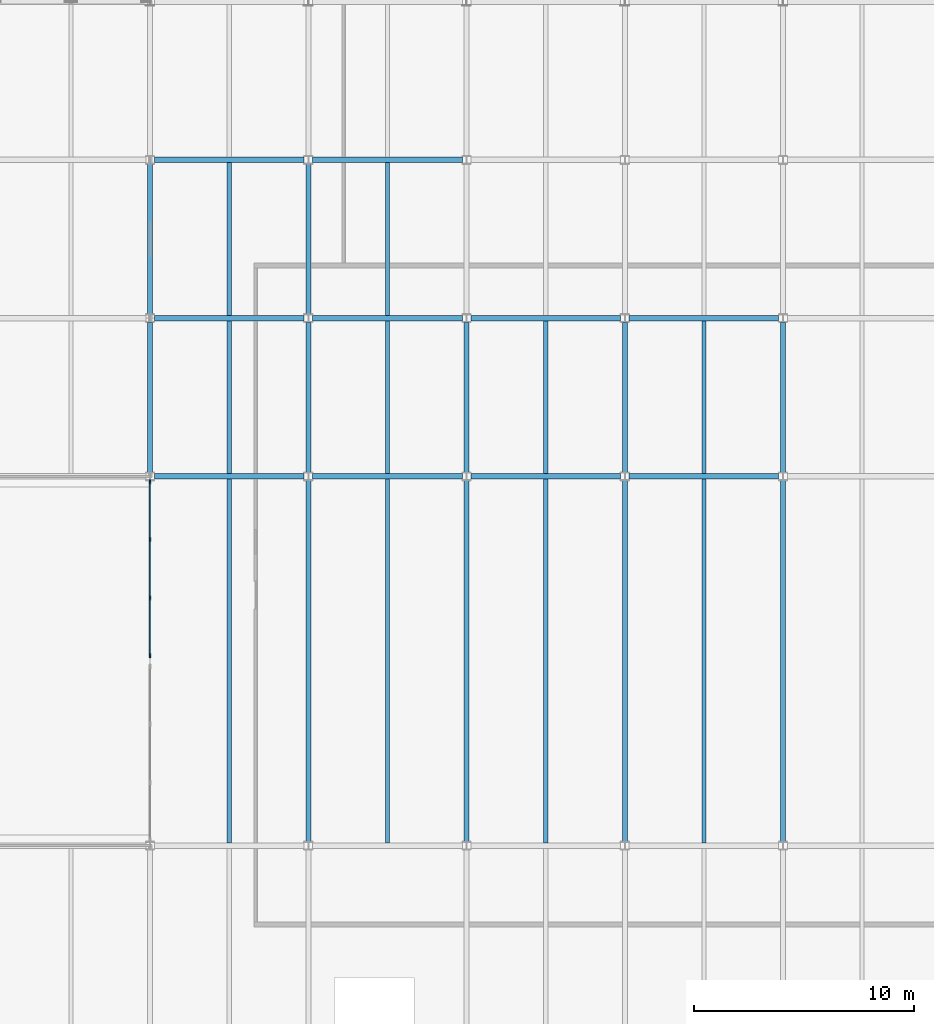
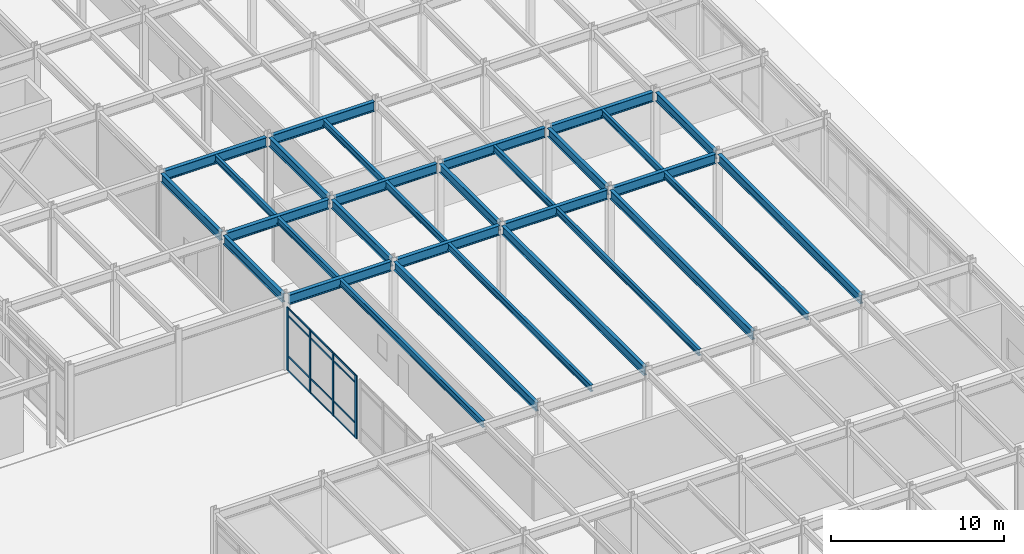
# One storey, part 51 of 104: 31 beams, 16 members, 1 element without a shape of its own.
"""IFC4 building model written with IfcOpenShell, lengths in metres."""

from ifc_helpers import new_model, si_unit, direction, frame, origin, origin_2d, place, context, subcontext, project, spatial, rectangle, i_section, extrude, material, material_profile, profile_set, type_object, element, aggregate, save


model = new_model("IFC4")

# Units and contexts
model_context = context("Model", 3, precision=1e-05, world=origin(), true_north=direction((0.0, 1.0)))
body_context = subcontext(model_context, "Body", "Model", "MODEL_VIEW")
ifc_project = project(units=[si_unit("LENGTHUNIT", "METRE"), si_unit("AREAUNIT", "SQUARE_METRE"), si_unit("VOLUMEUNIT", "CUBIC_METRE"), si_unit("PLANEANGLEUNIT", "RADIAN"), si_unit("MASSUNIT", "GRAM", prefix="KILO")], contexts=[model_context])

# Site, building, storey
site_placement = place(None, origin())
site = spatial("IfcSite", under=ifc_project, at=site_placement, CompositionType="ELEMENT")
building_placement = place(site_placement, origin())
building = spatial("IfcBuilding", under=site, at=building_placement, Name="Vaelcorin Mobility Hub", CompositionType="ELEMENT")
storey_placement = place(building_placement, origin())
storey = spatial("IfcBuildingStorey", under=building, at=storey_placement, Name="L00", CompositionType="ELEMENT", Elevation=0.0)

# Beams
ifc_material_1 = material(Name="Steel ASTM A992 Grade 50", Category="steel")
ifc_material_profile_1 = material_profile(ifc_material_1, i_section(OverallWidth=0.19091796875, OverallDepth=0.4599609375, WebThickness=0.010009765625, FlangeThickness=0.01611328125, FilletRadius=0.012939453125, at=origin_2d()), Name="W18X55")
ifc_profile_set_1 = profile_set([ifc_material_profile_1], Name="Steel ASTM A992 Grade 50")
beam_type_1 = type_object("IfcBeamType", Name="BM-W18X55", PredefinedType="JOIST", material=ifc_profile_set_1)
beam_1_placement = place(storey_placement, frame((171.60009765625, 60.125, 4.909912109375), z_axis=(0.0, 1.0, 0.0), x_axis=(-1.0, 0.0, 0.0)))
element("IfcBeam", 1, at=beam_1_placement, inside=storey, type_object=beam_type_1, Name="L00 Beam V5-L00-J-03-08-1", PredefinedType="JOIST", context=body_context, shape_type="SweptSolid", body=[
    extrude(i_section(OverallWidth=0.19091796875, OverallDepth=0.4599609375, WebThickness=0.010009765625, FlangeThickness=0.01611328125, FilletRadius=0.012939453125, at=origin_2d()), origin(), (0.0, 0.0, 1.0), 16.550048828125),
])
for number, where, z_axis, x_axis, name in (
    (2, (171.60009765625, 76.925048828125, 4.909912109375), (0.0, 1.0, 0.0), (-1.0, 0.0, 0.0), "L00 Beam V5-L00-J-03-09-1"),
    (3, (171.60009765625, 84.125, 4.909912109375), (0.0, 1.0, 0.0), (-1.0, 0.0, 0.0), "L00 Beam V5-L00-J-03-10-1"),
):
    element("IfcBeam", number, at=place(storey_placement, frame(where, z_axis=z_axis, x_axis=x_axis)), inside=storey, type_object=beam_type_1, Name=name, PredefinedType="JOIST", context=body_context, shape_type="SweptSolid", body=[
        extrude(i_section(OverallWidth=0.19091796875, OverallDepth=0.4599609375, WebThickness=0.010009765625, FlangeThickness=0.01611328125, FilletRadius=0.012939453125, at=origin_2d()), origin(), (0.0, 0.0, 1.0), 6.949951171875),
    ])
beam_2_placement = place(storey_placement, frame((178.800048828125, 60.125, 4.909912109375), z_axis=(0.0, 1.0, 0.0), x_axis=(-1.0, 0.0, 0.0)))
element("IfcBeam", 4, at=beam_2_placement, inside=storey, type_object=beam_type_1, Name="L00 Beam V5-L00-J-04-08-1", PredefinedType="JOIST", context=body_context, shape_type="SweptSolid", body=[
    extrude(i_section(OverallWidth=0.19091796875, OverallDepth=0.4599609375, WebThickness=0.010009765625, FlangeThickness=0.01611328125, FilletRadius=0.012939453125, at=origin_2d()), origin(), (0.0, 0.0, 1.0), 16.550048828125),
])
for number, where, z_axis, x_axis, name in (
    (5, (178.800048828125, 76.925048828125, 4.909912109375), (0.0, 1.0, 0.0), (-1.0, 0.0, 0.0), "L00 Beam V5-L00-J-04-09-1"),
    (6, (178.800048828125, 84.125, 4.909912109375), (0.0, 1.0, 0.0), (-1.0, 0.0, 0.0), "L00 Beam V5-L00-J-04-10-1"),
):
    element("IfcBeam", number, at=place(storey_placement, frame(where, z_axis=z_axis, x_axis=x_axis)), inside=storey, type_object=beam_type_1, Name=name, PredefinedType="JOIST", context=body_context, shape_type="SweptSolid", body=[
        extrude(i_section(OverallWidth=0.19091796875, OverallDepth=0.4599609375, WebThickness=0.010009765625, FlangeThickness=0.01611328125, FilletRadius=0.012939453125, at=origin_2d()), origin(), (0.0, 0.0, 1.0), 6.949951171875),
    ])
beam_3_placement = place(storey_placement, frame((186.0, 60.125, 4.909912109375), z_axis=(0.0, 1.0, 0.0), x_axis=(-1.0, 0.0, 0.0)))
element("IfcBeam", 7, at=beam_3_placement, inside=storey, type_object=beam_type_1, Name="L00 Beam V5-L00-J-05-08-1", PredefinedType="JOIST", context=body_context, shape_type="SweptSolid", body=[
    extrude(i_section(OverallWidth=0.19091796875, OverallDepth=0.4599609375, WebThickness=0.010009765625, FlangeThickness=0.01611328125, FilletRadius=0.012939453125, at=origin_2d()), origin(), (0.0, 0.0, 1.0), 16.550048828125),
])
beam_4_placement = place(storey_placement, frame((186.0, 76.925048828125, 4.909912109375), z_axis=(0.0, 1.0, 0.0), x_axis=(-1.0, 0.0, 0.0)))
element("IfcBeam", 8, at=beam_4_placement, inside=storey, type_object=beam_type_1, Name="L00 Beam V5-L00-J-05-09-1", PredefinedType="JOIST", context=body_context, shape_type="SweptSolid", body=[
    extrude(i_section(OverallWidth=0.19091796875, OverallDepth=0.4599609375, WebThickness=0.010009765625, FlangeThickness=0.01611328125, FilletRadius=0.012939453125, at=origin_2d()), origin(), (0.0, 0.0, 1.0), 6.949951171875),
])
beam_5_placement = place(storey_placement, frame((193.199951171875, 60.125, 4.909912109375), z_axis=(0.0, 1.0, 0.0), x_axis=(-1.0, 0.0, 0.0)))
element("IfcBeam", 9, at=beam_5_placement, inside=storey, type_object=beam_type_1, Name="L00 Beam V5-L00-J-06-08-1", PredefinedType="JOIST", context=body_context, shape_type="SweptSolid", body=[
    extrude(i_section(OverallWidth=0.19091796875, OverallDepth=0.4599609375, WebThickness=0.010009765625, FlangeThickness=0.01611328125, FilletRadius=0.012939453125, at=origin_2d()), origin(), (0.0, 0.0, 1.0), 16.550048828125),
])
beam_6_placement = place(storey_placement, frame((193.199951171875, 76.925048828125, 4.909912109375), z_axis=(0.0, 1.0, 0.0), x_axis=(-1.0, 0.0, 0.0)))
element("IfcBeam", 10, at=beam_6_placement, inside=storey, type_object=beam_type_1, Name="L00 Beam V5-L00-J-06-09-1", PredefinedType="JOIST", context=body_context, shape_type="SweptSolid", body=[
    extrude(i_section(OverallWidth=0.19091796875, OverallDepth=0.4599609375, WebThickness=0.010009765625, FlangeThickness=0.01611328125, FilletRadius=0.012939453125, at=origin_2d()), origin(), (0.0, 0.0, 1.0), 6.949951171875),
])
ifc_material_profile_2 = material_profile(ifc_material_1, i_section(OverallWidth=0.22900390625, OverallDepth=0.612060546875, WebThickness=0.011962890625, FlangeThickness=0.01953125, FilletRadius=0.014892578125, at=origin_2d()), Name="W24X84")
ifc_profile_set_2 = profile_set([ifc_material_profile_2], Name="Steel ASTM A992 Grade 50")
beam_type_2 = type_object("IfcBeamType", Name="BM-W24X84", PredefinedType="BEAM", material=ifc_profile_set_2)
for number, where, z_axis, x_axis, name in (
    (11, (168.0, 76.988037109375, 4.833984375), (0.0, 1.0, 0.0), (-1.0, 0.0, 0.0), "L00 Beam V5-L00-GY-03-09"),
    (12, (168.0, 84.18798828125, 4.833984375), (0.0, 1.0, 0.0), (-1.0, 0.0, 0.0), "L00 Beam V5-L00-GY-03-10"),
):
    element("IfcBeam", number, at=place(storey_placement, frame(where, z_axis=z_axis, x_axis=x_axis)), inside=storey, type_object=beam_type_2, Name=name, PredefinedType="BEAM", context=body_context, shape_type="SweptSolid", body=[
        extrude(i_section(OverallWidth=0.22900390625, OverallDepth=0.612060546875, WebThickness=0.011962890625, FlangeThickness=0.01953125, FilletRadius=0.014892578125, at=origin_2d()), origin(), (0.0, 0.0, 1.0), 6.823974609375),
    ])
beam_7_placement = place(storey_placement, frame((175.199951171875, 60.18798828125, 4.833984375), z_axis=(0.0, 1.0, 0.0), x_axis=(-1.0, 0.0, 0.0)))
element("IfcBeam", 13, at=beam_7_placement, inside=storey, type_object=beam_type_2, Name="L00 Beam V5-L00-GY-04-08", PredefinedType="BEAM", context=body_context, shape_type="SweptSolid", body=[
    extrude(i_section(OverallWidth=0.22900390625, OverallDepth=0.612060546875, WebThickness=0.011962890625, FlangeThickness=0.01953125, FilletRadius=0.014892578125, at=origin_2d()), origin(), (0.0, 0.0, 1.0), 16.423095703125),
])
for number, where, z_axis, x_axis, name in (
    (14, (175.199951171875, 76.988037109375, 4.833984375), (0.0, 1.0, 0.0), (-1.0, 0.0, 0.0), "L00 Beam V5-L00-GY-04-09"),
    (15, (175.199951171875, 84.18798828125, 4.833984375), (0.0, 1.0, 0.0), (-1.0, 0.0, 0.0), "L00 Beam V5-L00-GY-04-10"),
):
    element("IfcBeam", number, at=place(storey_placement, frame(where, z_axis=z_axis, x_axis=x_axis)), inside=storey, type_object=beam_type_2, Name=name, PredefinedType="BEAM", context=body_context, shape_type="SweptSolid", body=[
        extrude(i_section(OverallWidth=0.22900390625, OverallDepth=0.612060546875, WebThickness=0.011962890625, FlangeThickness=0.01953125, FilletRadius=0.014892578125, at=origin_2d()), origin(), (0.0, 0.0, 1.0), 6.823974609375),
    ])
beam_8_placement = place(storey_placement, frame((182.39990234375, 60.18798828125, 4.833984375), z_axis=(0.0, 1.0, 0.0), x_axis=(-1.0, 0.0, 0.0)))
element("IfcBeam", 16, at=beam_8_placement, inside=storey, type_object=beam_type_2, Name="L00 Beam V5-L00-GY-05-08", PredefinedType="BEAM", context=body_context, shape_type="SweptSolid", body=[
    extrude(i_section(OverallWidth=0.22900390625, OverallDepth=0.612060546875, WebThickness=0.011962890625, FlangeThickness=0.01953125, FilletRadius=0.014892578125, at=origin_2d()), origin(), (0.0, 0.0, 1.0), 16.423095703125),
])
beam_9_placement = place(storey_placement, frame((182.39990234375, 76.988037109375, 4.833984375), z_axis=(0.0, 1.0, 0.0), x_axis=(-1.0, 0.0, 0.0)))
element("IfcBeam", 17, at=beam_9_placement, inside=storey, type_object=beam_type_2, Name="L00 Beam V5-L00-GY-05-09", PredefinedType="BEAM", context=body_context, shape_type="SweptSolid", body=[
    extrude(i_section(OverallWidth=0.22900390625, OverallDepth=0.612060546875, WebThickness=0.011962890625, FlangeThickness=0.01953125, FilletRadius=0.014892578125, at=origin_2d()), origin(), (0.0, 0.0, 1.0), 6.823974609375),
])
beam_10_placement = place(storey_placement, frame((189.60009765625, 60.18798828125, 4.833984375), z_axis=(0.0, 1.0, 0.0), x_axis=(-1.0, 0.0, 0.0)))
element("IfcBeam", 18, at=beam_10_placement, inside=storey, type_object=beam_type_2, Name="L00 Beam V5-L00-GY-06-08", PredefinedType="BEAM", context=body_context, shape_type="SweptSolid", body=[
    extrude(i_section(OverallWidth=0.22900390625, OverallDepth=0.612060546875, WebThickness=0.011962890625, FlangeThickness=0.01953125, FilletRadius=0.014892578125, at=origin_2d()), origin(), (0.0, 0.0, 1.0), 16.423095703125),
])
beam_11_placement = place(storey_placement, frame((189.60009765625, 76.988037109375, 4.833984375), z_axis=(0.0, 1.0, 0.0), x_axis=(-1.0, 0.0, 0.0)))
element("IfcBeam", 19, at=beam_11_placement, inside=storey, type_object=beam_type_2, Name="L00 Beam V5-L00-GY-06-09", PredefinedType="BEAM", context=body_context, shape_type="SweptSolid", body=[
    extrude(i_section(OverallWidth=0.22900390625, OverallDepth=0.612060546875, WebThickness=0.011962890625, FlangeThickness=0.01953125, FilletRadius=0.014892578125, at=origin_2d()), origin(), (0.0, 0.0, 1.0), 6.823974609375),
])
beam_12_placement = place(storey_placement, frame((196.800048828125, 60.18798828125, 4.833984375), z_axis=(0.0, 1.0, 0.0), x_axis=(-1.0, 0.0, 0.0)))
element("IfcBeam", 20, at=beam_12_placement, inside=storey, type_object=beam_type_2, Name="L00 Beam V5-L00-GY-07-08", PredefinedType="BEAM", context=body_context, shape_type="SweptSolid", body=[
    extrude(i_section(OverallWidth=0.22900390625, OverallDepth=0.612060546875, WebThickness=0.011962890625, FlangeThickness=0.01953125, FilletRadius=0.014892578125, at=origin_2d()), origin(), (0.0, 0.0, 1.0), 16.423095703125),
])
beam_13_placement = place(storey_placement, frame((196.800048828125, 76.988037109375, 4.833984375), z_axis=(0.0, 1.0, 0.0), x_axis=(-1.0, 0.0, 0.0)))
element("IfcBeam", 21, at=beam_13_placement, inside=storey, type_object=beam_type_2, Name="L00 Beam V5-L00-GY-07-09", PredefinedType="BEAM", context=body_context, shape_type="SweptSolid", body=[
    extrude(i_section(OverallWidth=0.22900390625, OverallDepth=0.612060546875, WebThickness=0.011962890625, FlangeThickness=0.01953125, FilletRadius=0.014892578125, at=origin_2d()), origin(), (0.0, 0.0, 1.0), 6.823974609375),
])
ifc_material_profile_3 = material_profile(ifc_material_1, i_section(OverallWidth=0.25390625, OverallDepth=0.68310546875, WebThickness=0.012451171875, FlangeThickness=0.018798828125, FilletRadius=0.01611328125, at=origin_2d()), Name="W27X94")
ifc_profile_set_3 = profile_set([ifc_material_profile_3], Name="Steel ASTM A992 Grade 50")
beam_type_3 = type_object("IfcBeamType", Name="BM-W27X94", PredefinedType="BEAM", material=ifc_profile_set_3)
beam_14_placement = place(storey_placement, frame((168.196044921875, 76.800048828125, 4.798095703125), z_axis=(1.0, 0.0, 0.0), x_axis=(0.0, 1.0, 0.0)))
element("IfcBeam", 22, at=beam_14_placement, inside=storey, type_object=beam_type_3, Name="L00 Beam V5-L00-GX-09-03", PredefinedType="BEAM", context=body_context, shape_type="SweptSolid", body=[
    extrude(i_section(OverallWidth=0.25390625, OverallDepth=0.68310546875, WebThickness=0.012451171875, FlangeThickness=0.018798828125, FilletRadius=0.01611328125, at=origin_2d()), origin(), (0.0, 0.0, 1.0), 6.807861328125),
])
for number, where, z_axis, x_axis, name in (
    (23, (175.39599609375, 76.800048828125, 4.798095703125), (1.0, 0.0, 0.0), (0.0, 1.0, 0.0), "L00 Beam V5-L00-GX-09-04"),
    (24, (182.595947265625, 76.800048828125, 4.798095703125), (1.0, 0.0, 0.0), (0.0, 1.0, 0.0), "L00 Beam V5-L00-GX-09-05"),
    (25, (189.7958984375, 76.800048828125, 4.798095703125), (1.0, 0.0, 0.0), (0.0, 1.0, 0.0), "L00 Beam V5-L00-GX-09-06"),
):
    element("IfcBeam", number, at=place(storey_placement, frame(where, z_axis=z_axis, x_axis=x_axis)), inside=storey, type_object=beam_type_3, Name=name, PredefinedType="BEAM", context=body_context, shape_type="SweptSolid", body=[
        extrude(i_section(OverallWidth=0.25390625, OverallDepth=0.68310546875, WebThickness=0.012451171875, FlangeThickness=0.018798828125, FilletRadius=0.01611328125, at=origin_2d()), origin(), (0.0, 0.0, 1.0), 6.80810546875),
    ])
beam_15_placement = place(storey_placement, frame((168.196044921875, 84.0, 4.798095703125), z_axis=(1.0, 0.0, 0.0), x_axis=(0.0, 1.0, 0.0)))
element("IfcBeam", 26, at=beam_15_placement, inside=storey, type_object=beam_type_3, Name="L00 Beam V5-L00-GX-10-03", PredefinedType="BEAM", context=body_context, shape_type="SweptSolid", body=[
    extrude(i_section(OverallWidth=0.25390625, OverallDepth=0.68310546875, WebThickness=0.012451171875, FlangeThickness=0.018798828125, FilletRadius=0.01611328125, at=origin_2d()), origin(), (0.0, 0.0, 1.0), 6.807861328125),
])
for number, where, z_axis, x_axis, name in (
    (27, (175.39599609375, 84.0, 4.798095703125), (1.0, 0.0, 0.0), (0.0, 1.0, 0.0), "L00 Beam V5-L00-GX-10-04"),
    (28, (182.595947265625, 84.0, 4.798095703125), (1.0, 0.0, 0.0), (0.0, 1.0, 0.0), "L00 Beam V5-L00-GX-10-05"),
    (29, (189.7958984375, 84.0, 4.798095703125), (1.0, 0.0, 0.0), (0.0, 1.0, 0.0), "L00 Beam V5-L00-GX-10-06"),
):
    element("IfcBeam", number, at=place(storey_placement, frame(where, z_axis=z_axis, x_axis=x_axis)), inside=storey, type_object=beam_type_3, Name=name, PredefinedType="BEAM", context=body_context, shape_type="SweptSolid", body=[
        extrude(i_section(OverallWidth=0.25390625, OverallDepth=0.68310546875, WebThickness=0.012451171875, FlangeThickness=0.018798828125, FilletRadius=0.01611328125, at=origin_2d()), origin(), (0.0, 0.0, 1.0), 6.80810546875),
    ])
beam_16_placement = place(storey_placement, frame((168.196044921875, 91.199951171875, 4.798095703125), z_axis=(1.0, 0.0, 0.0), x_axis=(0.0, 1.0, 0.0)))
element("IfcBeam", 30, at=beam_16_placement, inside=storey, type_object=beam_type_3, Name="L00 Beam V5-L00-GX-11-03", PredefinedType="BEAM", context=body_context, shape_type="SweptSolid", body=[
    extrude(i_section(OverallWidth=0.25390625, OverallDepth=0.68310546875, WebThickness=0.012451171875, FlangeThickness=0.018798828125, FilletRadius=0.01611328125, at=origin_2d()), origin(), (0.0, 0.0, 1.0), 6.807861328125),
])
beam_17_placement = place(storey_placement, frame((175.39599609375, 91.199951171875, 4.798095703125), z_axis=(1.0, 0.0, 0.0), x_axis=(0.0, 1.0, 0.0)))
element("IfcBeam", 31, at=beam_17_placement, inside=storey, type_object=beam_type_3, Name="L00 Beam V5-L00-GX-11-04", PredefinedType="BEAM", context=body_context, shape_type="SweptSolid", body=[
    extrude(i_section(OverallWidth=0.25390625, OverallDepth=0.68310546875, WebThickness=0.012451171875, FlangeThickness=0.018798828125, FilletRadius=0.01611328125, at=origin_2d()), origin(), (0.0, 0.0, 1.0), 6.80810546875),
])

# Curtain wall, members
ifc_material_2 = material(Name="Anodised aluminium 6063-T6", Category="aluminium")
curtain_wall_type = type_object("IfcCurtainWallType", Name="CW-MOB-A", PredefinedType="NOTDEFINED", material=ifc_material_2)
curtain_wall_placement = place(storey_placement, origin())
curtain_wall = element("IfcCurtainWall", 32, at=curtain_wall_placement, inside=storey, type_object=curtain_wall_type, Name="L00 Curtain Wall CW-V5-L00-NOTCH-2", PredefinedType="NOTDEFINED")
ifc_material_profile_4 = material_profile(ifc_material_2, rectangle(XDim=0.070068359375, YDim=0.199951171875, at=origin_2d()), Name="ALU-M70X200")
ifc_profile_set_4 = profile_set([ifc_material_profile_4], Name="Anodised aluminium 6063-T6")
member_type_1 = type_object("IfcMemberType", Name="CW-MULL-200", PredefinedType="MULLION", material=ifc_profile_set_4)
member_1_placement = place(storey_placement, frame((168.0, 68.64990234375, 0.0), z_axis=(0.0, 0.0, 1.0), x_axis=(-1.0, 0.0, 0.0)))
member_1 = element("IfcMember", 33, at=member_1_placement, type_object=member_type_1, Name="CW7 mullion 1", PredefinedType="MULLION", context=body_context, shape_type="SweptSolid", body=[
    extrude(rectangle(XDim=0.070068359375, YDim=0.199951171875, at=origin_2d()), origin(), (0.0, 0.0, 1.0), 4.44189453125),
])
member_2_placement = place(storey_placement, frame((168.0, 71.2734375, 0.0), z_axis=(0.0, 0.0, 1.0), x_axis=(-1.0, 0.0, 0.0)))
member_2 = element("IfcMember", 34, at=member_2_placement, type_object=member_type_1, Name="CW7 mullion 2", PredefinedType="MULLION", context=body_context, shape_type="SweptSolid", body=[
    extrude(rectangle(XDim=0.070068359375, YDim=0.199951171875, at=origin_2d()), origin(), (0.0, 0.0, 1.0), 4.44189453125),
])
member_3_placement = place(storey_placement, frame((168.0, 73.9267578125, 0.0), z_axis=(0.0, 0.0, 1.0), x_axis=(-1.0, 0.0, 0.0)))
member_3 = element("IfcMember", 35, at=member_3_placement, type_object=member_type_1, Name="CW7 mullion 3", PredefinedType="MULLION", context=body_context, shape_type="SweptSolid", body=[
    extrude(rectangle(XDim=0.070068359375, YDim=0.199951171875, at=origin_2d()), origin(), (0.0, 0.0, 1.0), 4.44189453125),
])
member_4_placement = place(storey_placement, frame((168.0, 76.550048828125, 0.0), z_axis=(0.0, 0.0, 1.0), x_axis=(-1.0, 0.0, 0.0)))
member_4 = element("IfcMember", 36, at=member_4_placement, type_object=member_type_1, Name="CW7 mullion 4", PredefinedType="MULLION", context=body_context, shape_type="SweptSolid", body=[
    extrude(rectangle(XDim=0.070068359375, YDim=0.199951171875, at=origin_2d()), origin(), (0.0, 0.0, 1.0), 4.44189453125),
])
ifc_material_profile_5 = material_profile(ifc_material_2, rectangle(XDim=0.06005859375, YDim=0.1201171875, at=origin_2d()), Name="ALU-T60X120")
ifc_profile_set_5 = profile_set([ifc_material_profile_5], Name="Anodised aluminium 6063-T6")
member_type_2 = type_object("IfcMemberType", Name="CW-TRAN-140", PredefinedType="USERDEFINED", material=ifc_profile_set_5)
member_5_placement = place(storey_placement, frame((168.0, 68.679931640625, 0.030029296875), z_axis=(0.0, 1.0, 0.0), x_axis=(-1.0, 0.0, 0.0)))
member_5 = element("IfcMember", 37, at=member_5_placement, type_object=member_type_2, Name="CW7 transom 1.1", ObjectType="TRANSOM", PredefinedType="USERDEFINED", context=body_context, shape_type="SweptSolid", body=[
    extrude(rectangle(XDim=0.06005859375, YDim=0.1201171875, at=origin_2d()), origin(), (0.0, 0.0, 1.0), 2.5634765625),
])
member_6_placement = place(storey_placement, frame((168.0, 68.679931640625, 1.050048828125), z_axis=(0.0, 1.0, 0.0), x_axis=(-1.0, 0.0, 0.0)))
member_6 = element("IfcMember", 38, at=member_6_placement, type_object=member_type_2, Name="CW7 transom 1.2", ObjectType="TRANSOM", PredefinedType="USERDEFINED", context=body_context, shape_type="SweptSolid", body=[
    extrude(rectangle(XDim=0.06005859375, YDim=0.1201171875, at=origin_2d()), origin(), (0.0, 0.0, 1.0), 2.5634765625),
])
member_7_placement = place(storey_placement, frame((168.0, 68.679931640625, 3.89208984375), z_axis=(0.0, 1.0, 0.0), x_axis=(-1.0, 0.0, 0.0)))
member_7 = element("IfcMember", 39, at=member_7_placement, type_object=member_type_2, Name="CW7 transom 1.3", ObjectType="TRANSOM", PredefinedType="USERDEFINED", context=body_context, shape_type="SweptSolid", body=[
    extrude(rectangle(XDim=0.06005859375, YDim=0.1201171875, at=origin_2d()), origin(), (0.0, 0.0, 1.0), 2.5634765625),
])
member_8_placement = place(storey_placement, frame((168.0, 68.679931640625, 4.412109375), z_axis=(0.0, 1.0, 0.0), x_axis=(-1.0, 0.0, 0.0)))
member_8 = element("IfcMember", 40, at=member_8_placement, type_object=member_type_2, Name="CW7 transom 1.4", ObjectType="TRANSOM", PredefinedType="USERDEFINED", context=body_context, shape_type="SweptSolid", body=[
    extrude(rectangle(XDim=0.06005859375, YDim=0.1201171875, at=origin_2d()), origin(), (0.0, 0.0, 1.0), 2.5634765625),
])
member_9_placement = place(storey_placement, frame((168.0, 71.30322265625, 0.030029296875), z_axis=(0.0, 1.0, 0.0), x_axis=(-1.0, 0.0, 0.0)))
member_9 = element("IfcMember", 41, at=member_9_placement, type_object=member_type_2, Name="CW7 transom 2.1", ObjectType="TRANSOM", PredefinedType="USERDEFINED", context=body_context, shape_type="SweptSolid", body=[
    extrude(rectangle(XDim=0.06005859375, YDim=0.1201171875, at=origin_2d()), origin(), (0.0, 0.0, 1.0), 2.593505859375),
])
member_10_placement = place(storey_placement, frame((168.0, 71.30322265625, 1.050048828125), z_axis=(0.0, 1.0, 0.0), x_axis=(-1.0, 0.0, 0.0)))
member_10 = element("IfcMember", 42, at=member_10_placement, type_object=member_type_2, Name="CW7 transom 2.2", ObjectType="TRANSOM", PredefinedType="USERDEFINED", context=body_context, shape_type="SweptSolid", body=[
    extrude(rectangle(XDim=0.06005859375, YDim=0.1201171875, at=origin_2d()), origin(), (0.0, 0.0, 1.0), 2.593505859375),
])
member_11_placement = place(storey_placement, frame((168.0, 71.30322265625, 3.89208984375), z_axis=(0.0, 1.0, 0.0), x_axis=(-1.0, 0.0, 0.0)))
member_11 = element("IfcMember", 43, at=member_11_placement, type_object=member_type_2, Name="CW7 transom 2.3", ObjectType="TRANSOM", PredefinedType="USERDEFINED", context=body_context, shape_type="SweptSolid", body=[
    extrude(rectangle(XDim=0.06005859375, YDim=0.1201171875, at=origin_2d()), origin(), (0.0, 0.0, 1.0), 2.593505859375),
])
member_12_placement = place(storey_placement, frame((168.0, 71.30322265625, 4.412109375), z_axis=(0.0, 1.0, 0.0), x_axis=(-1.0, 0.0, 0.0)))
member_12 = element("IfcMember", 44, at=member_12_placement, type_object=member_type_2, Name="CW7 transom 2.4", ObjectType="TRANSOM", PredefinedType="USERDEFINED", context=body_context, shape_type="SweptSolid", body=[
    extrude(rectangle(XDim=0.06005859375, YDim=0.1201171875, at=origin_2d()), origin(), (0.0, 0.0, 1.0), 2.593505859375),
])
member_13_placement = place(storey_placement, frame((168.0, 73.956787109375, 0.030029296875), z_axis=(0.0, 1.0, 0.0), x_axis=(-1.0, 0.0, 0.0)))
member_13 = element("IfcMember", 45, at=member_13_placement, type_object=member_type_2, Name="CW7 transom 3.1", ObjectType="TRANSOM", PredefinedType="USERDEFINED", context=body_context, shape_type="SweptSolid", body=[
    extrude(rectangle(XDim=0.06005859375, YDim=0.1201171875, at=origin_2d()), origin(), (0.0, 0.0, 1.0), 2.563232421875),
])
member_14_placement = place(storey_placement, frame((168.0, 73.956787109375, 1.050048828125), z_axis=(0.0, 1.0, 0.0), x_axis=(-1.0, 0.0, 0.0)))
member_14 = element("IfcMember", 46, at=member_14_placement, type_object=member_type_2, Name="CW7 transom 3.2", ObjectType="TRANSOM", PredefinedType="USERDEFINED", context=body_context, shape_type="SweptSolid", body=[
    extrude(rectangle(XDim=0.06005859375, YDim=0.1201171875, at=origin_2d()), origin(), (0.0, 0.0, 1.0), 2.563232421875),
])
member_15_placement = place(storey_placement, frame((168.0, 73.956787109375, 3.89208984375), z_axis=(0.0, 1.0, 0.0), x_axis=(-1.0, 0.0, 0.0)))
member_15 = element("IfcMember", 47, at=member_15_placement, type_object=member_type_2, Name="CW7 transom 3.3", ObjectType="TRANSOM", PredefinedType="USERDEFINED", context=body_context, shape_type="SweptSolid", body=[
    extrude(rectangle(XDim=0.06005859375, YDim=0.1201171875, at=origin_2d()), origin(), (0.0, 0.0, 1.0), 2.563232421875),
])
member_16_placement = place(storey_placement, frame((168.0, 73.956787109375, 4.412109375), z_axis=(0.0, 1.0, 0.0), x_axis=(-1.0, 0.0, 0.0)))
member_16 = element("IfcMember", 48, at=member_16_placement, type_object=member_type_2, Name="CW7 transom 3.4", ObjectType="TRANSOM", PredefinedType="USERDEFINED", context=body_context, shape_type="SweptSolid", body=[
    extrude(rectangle(XDim=0.06005859375, YDim=0.1201171875, at=origin_2d()), origin(), (0.0, 0.0, 1.0), 2.563232421875),
])
aggregate(curtain_wall, [member_1, member_2, member_3, member_4, member_5, member_6, member_7, member_8, member_9, member_10, member_11, member_12, member_13, member_14, member_15, member_16])

save(model, "model.ifc")
